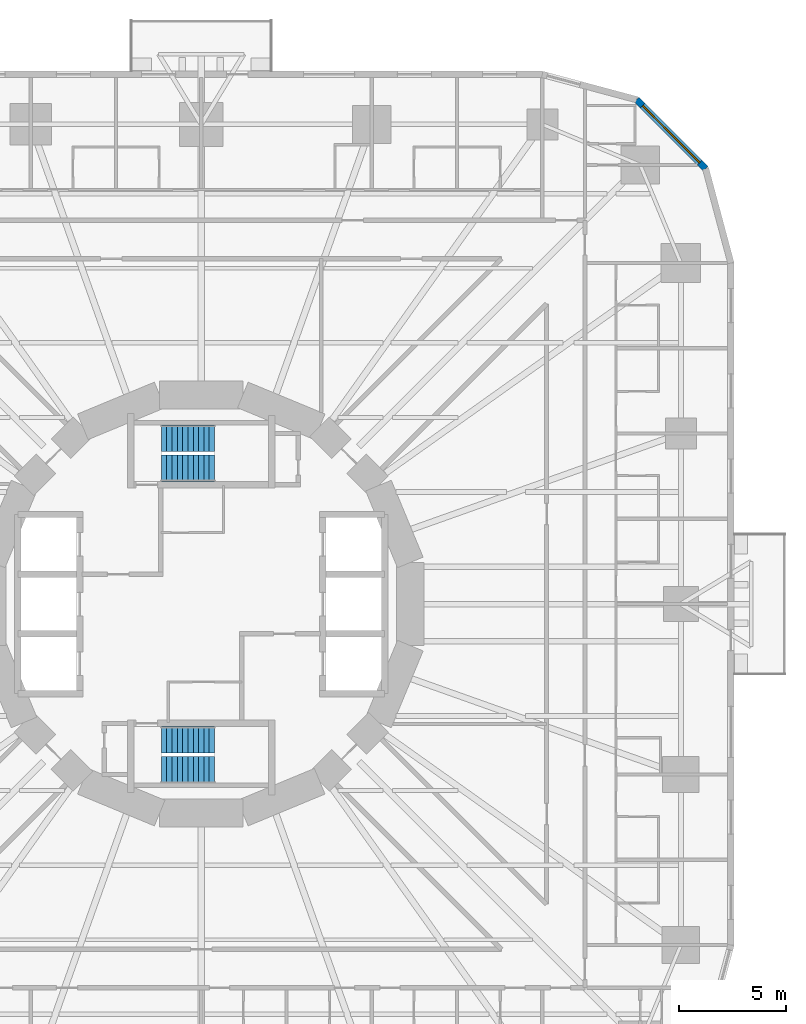
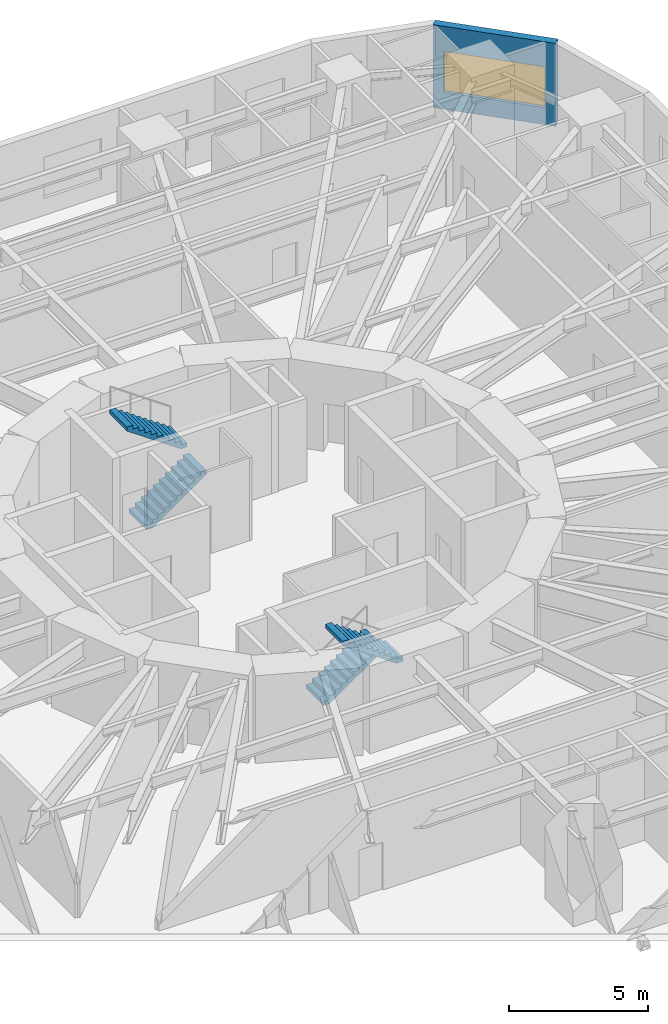
# One storey, part 12 of 14: 4 stair flights, 1 wall, 1 window, 1 opening, 2 elements without a shape of their own.
"""IFC4 building model written with IfcOpenShell, lengths in metres."""

from ifc_helpers import new_model, si_unit, direction, frame, frame_2d, origin, place, context, subcontext, project, spatial, polyline, rectangle, outline, extrude, material, layer, layer_set, type_object, element, fill, aggregate, save


model = new_model("IFC4")

# Units and contexts
model_context = context("Model", 3, precision=1e-05, world=origin(), true_north=direction((0.0, 1.0)))
body_context = subcontext(model_context, "Body", "Model", "MODEL_VIEW")
ifc_project = project(units=[si_unit("LENGTHUNIT", "METRE"), si_unit("AREAUNIT", "SQUARE_METRE"), si_unit("VOLUMEUNIT", "CUBIC_METRE"), si_unit("PLANEANGLEUNIT", "RADIAN"), si_unit("MASSUNIT", "GRAM", prefix="KILO")], contexts=[model_context])

# Site, building, storey
site_placement = place(None, origin())
site = spatial("IfcSite", under=ifc_project, at=site_placement, CompositionType="ELEMENT")
building_placement = place(site_placement, origin())
building = spatial("IfcBuilding", under=site, at=building_placement, Name="Nakasero Lantern House", CompositionType="ELEMENT")
storey_placement = place(building_placement, frame((0.0, 0.0, 39.10009765625)))
storey = spatial("IfcBuildingStorey", under=building, at=storey_placement, Name="L09", CompositionType="ELEMENT", Elevation=39.10009765625)

# Wall, opening, window
ifc_material_1 = material(Name="Aluminium rainscreen on blockwork", Category="masonry")
ifc_layer = layer(ifc_material_1, 0.300048828125)
ifc_layer_set = layer_set([ifc_layer], Name="Facade wall 300")
wall_type = type_object("IfcWallType", Name="Facade wall 300", PredefinedType="SOLIDWALL", material=ifc_layer_set)
wall_placement = place(storey_placement, frame((23.664306640625, 20.425048828125, 0.0), z_axis=(0.0, 0.0, 1.0), x_axis=(-0.707106781187, 0.707106781187, 0.0)))
wall = element("IfcWall", 1, at=wall_placement, inside=storey, type_object=wall_type, Name="Facade wall L09 FW0C2", PredefinedType="SOLIDWALL", context=body_context, shape_type="SweptSolid", body=[
    extrude(rectangle(XDim=4.5810546875, YDim=0.300048828125, at=frame_2d((2.29052734375, 0.0))), origin(), (0.0, 0.0, 1.0), 3.64990234375),
])
opening_placement = place(wall_placement, frame((0.39990234375, 0.0, 0.75)))
opening = element("IfcOpeningElement", 2, at=opening_placement, cuts=wall, Name="Opening W237", PredefinedType="OPENING", context=body_context, shape_type="SweptSolid", body=[
    extrude(rectangle(XDim=3.781005859375, YDim=1.800048828125, at=frame_2d((1.890625, 0.89990234375))), frame((0.0, 0.169921875, 0.0), z_axis=(0.0, -1.0, 0.0), x_axis=(1.0, 0.0, 0.0)), (0.0, 0.0, 1.0), 0.340087890625),
])
ifc_material_2 = material(Name="Aluminium 6063-T6 and glass", Category="aluminium")
window_type = type_object("IfcWindowType", Name="Corner window 3781x1800", PartitioningType="SINGLE_PANEL", PredefinedType="WINDOW", material=ifc_material_2)
window_placement = place(opening_placement, origin())
window = element("IfcWindow", 3, at=window_placement, inside=storey, type_object=window_type, Name="Window L09 WC0", OverallHeight=1.800048828125, OverallWidth=3.781005859375, PartitioningType="SINGLE_PANEL", PredefinedType="WINDOW", context=body_context, shape_type="SweptSolid", body=[
    extrude(rectangle(XDim=3.781005859375, YDim=1.800048828125, at=frame_2d((1.890625, 0.89990234375))), frame((0.0, 0.030029296875, 0.0), z_axis=(0.0, -1.0, 0.0), x_axis=(1.0, 0.0, 0.0)), (0.0, 0.0, 1.0), 0.06005859375),
])
fill(opening, window)

# Stair, stair flights
ifc_material_3 = material(Name="Concrete C40/50", Category="concrete")
stair_type_1 = type_object("IfcStairType", Name="Escape stair ST1 22 risers", PredefinedType="HALF_TURN_STAIR", material=ifc_material_3)
stair_1_placement = place(storey_placement, origin())
stair_1 = element("IfcStair", 4, at=stair_1_placement, inside=storey, type_object=stair_type_1, Name="Escape stair ST1 L09", PredefinedType="HALF_TURN_STAIR")
ifc_material_4 = material(Name="Concrete C40/50", Category="concrete")
stair_flight_type = type_object("IfcStairFlightType", Name="Escape stair flight", PredefinedType="STRAIGHT", material=ifc_material_4)
stair_flight_1_placement = place(storey_placement, frame((-1.875, 6.375, 0.0), z_axis=(0.0, 0.0, 1.0), x_axis=(1.0, 0.0, 0.0)))
stair_flight_1 = element("IfcStairFlight", 5, at=stair_flight_1_placement, type_object=stair_flight_type, Name="ST1 flight 1", NumberOfRisers=11, NumberOfTreads=10, PredefinedType="STRAIGHT", RiserHeight=0.175, TreadLength=0.25, context=body_context, shape_type="SweptSolid", body=[
    extrude(outline(polyline([(0.0, 0.0), (0.0, 0.175048828125), (0.25, 0.175048828125), (0.25, 0.35009765625), (0.5, 0.35009765625), (0.5, 0.52490234375), (0.75, 0.52490234375), (0.75, 0.699951171875), (1.0, 0.699951171875), (1.0, 0.875), (1.25, 0.875), (1.25, 1.050048828125), (1.5, 1.050048828125), (1.5, 1.22509765625), (1.75, 1.22509765625), (1.75, 1.39990234375), (2.0, 1.39990234375), (2.0, 1.574951171875), (2.25, 1.574951171875), (2.25, 1.75), (2.5, 1.75), (2.5, 1.925048828125), (2.5, 1.567138671875), (0.261474609375, 0.0), (0.0, 0.0)])), frame((0.0, 0.625, 0.0), z_axis=(0.0, -1.0, 0.0), x_axis=(1.0, 0.0, 0.0)), (0.0, 0.0, 1.0), 1.25),
])
stair_flight_2_placement = place(storey_placement, frame((0.625, 7.77490234375, 1.9248046875), z_axis=(0.0, 0.0, 1.0), x_axis=(-1.0, 0.0, 0.0)))
stair_flight_2 = element("IfcStairFlight", 6, at=stair_flight_2_placement, type_object=stair_flight_type, Name="ST1 flight 2", NumberOfRisers=11, NumberOfTreads=10, PredefinedType="STRAIGHT", RiserHeight=0.175, TreadLength=0.25, context=body_context, shape_type="SweptSolid", body=[
    extrude(outline(polyline([(0.0, 0.0), (0.0, 0.175048828125), (0.25, 0.175048828125), (0.25, 0.35009765625), (0.5, 0.35009765625), (0.5, 0.52490234375), (0.75, 0.52490234375), (0.75, 0.699951171875), (1.0, 0.699951171875), (1.0, 0.875), (1.25, 0.875), (1.25, 1.050048828125), (1.5, 1.050048828125), (1.5, 1.22509765625), (1.75, 1.22509765625), (1.75, 1.39990234375), (2.0, 1.39990234375), (2.0, 1.574951171875), (2.25, 1.574951171875), (2.25, 1.75), (2.5, 1.75), (2.5, 1.925048828125), (2.5, 1.567138671875), (0.261474609375, 0.0), (0.0, 0.0)])), frame((0.0, 0.625, 0.0), z_axis=(0.0, -1.0, 0.0), x_axis=(1.0, 0.0, 0.0)), (0.0, 0.0, 1.0), 1.25),
])
aggregate(stair_1, [stair_flight_1, stair_flight_2])

ifc_material_5 = material(Name="Concrete C40/50", Category="concrete")
stair_type_2 = type_object("IfcStairType", Name="Escape stair ST2 22 risers", PredefinedType="HALF_TURN_STAIR", material=ifc_material_5)
stair_2_placement = place(storey_placement, origin())
stair_2 = element("IfcStair", 7, at=stair_2_placement, inside=storey, type_object=stair_type_2, Name="Escape stair ST2 L09", PredefinedType="HALF_TURN_STAIR")
stair_flight_3_placement = place(storey_placement, frame((-1.875, -6.375, 0.0), z_axis=(0.0, 0.0, 1.0), x_axis=(1.0, 0.0, 0.0)))
stair_flight_3 = element("IfcStairFlight", 8, at=stair_flight_3_placement, type_object=stair_flight_type, Name="ST2 flight 1", NumberOfRisers=11, NumberOfTreads=10, PredefinedType="STRAIGHT", RiserHeight=0.175, TreadLength=0.25, context=body_context, shape_type="SweptSolid", body=[
    extrude(outline(polyline([(0.0, 0.0), (0.0, 0.175048828125), (0.25, 0.175048828125), (0.25, 0.35009765625), (0.5, 0.35009765625), (0.5, 0.52490234375), (0.75, 0.52490234375), (0.75, 0.699951171875), (1.0, 0.699951171875), (1.0, 0.875), (1.25, 0.875), (1.25, 1.050048828125), (1.5, 1.050048828125), (1.5, 1.22509765625), (1.75, 1.22509765625), (1.75, 1.39990234375), (2.0, 1.39990234375), (2.0, 1.574951171875), (2.25, 1.574951171875), (2.25, 1.75), (2.5, 1.75), (2.5, 1.925048828125), (2.5, 1.567138671875), (0.261474609375, 0.0), (0.0, 0.0)])), frame((0.0, 0.625, 0.0), z_axis=(0.0, -1.0, 0.0), x_axis=(1.0, 0.0, 0.0)), (0.0, 0.0, 1.0), 1.25),
])
stair_flight_4_placement = place(storey_placement, frame((0.625, -7.77490234375, 1.9248046875), z_axis=(0.0, 0.0, 1.0), x_axis=(-1.0, 0.0, 0.0)))
stair_flight_4 = element("IfcStairFlight", 9, at=stair_flight_4_placement, type_object=stair_flight_type, Name="ST2 flight 2", NumberOfRisers=11, NumberOfTreads=10, PredefinedType="STRAIGHT", RiserHeight=0.175, TreadLength=0.25, context=body_context, shape_type="SweptSolid", body=[
    extrude(outline(polyline([(0.0, 0.0), (0.0, 0.175048828125), (0.25, 0.175048828125), (0.25, 0.35009765625), (0.5, 0.35009765625), (0.5, 0.52490234375), (0.75, 0.52490234375), (0.75, 0.699951171875), (1.0, 0.699951171875), (1.0, 0.875), (1.25, 0.875), (1.25, 1.050048828125), (1.5, 1.050048828125), (1.5, 1.22509765625), (1.75, 1.22509765625), (1.75, 1.39990234375), (2.0, 1.39990234375), (2.0, 1.574951171875), (2.25, 1.574951171875), (2.25, 1.75), (2.5, 1.75), (2.5, 1.925048828125), (2.5, 1.567138671875), (0.261474609375, 0.0), (0.0, 0.0)])), frame((0.0, 0.625, 0.0), z_axis=(0.0, -1.0, 0.0), x_axis=(1.0, 0.0, 0.0)), (0.0, 0.0, 1.0), 1.25),
])
aggregate(stair_2, [stair_flight_3, stair_flight_4])

save(model, "model.ifc")
